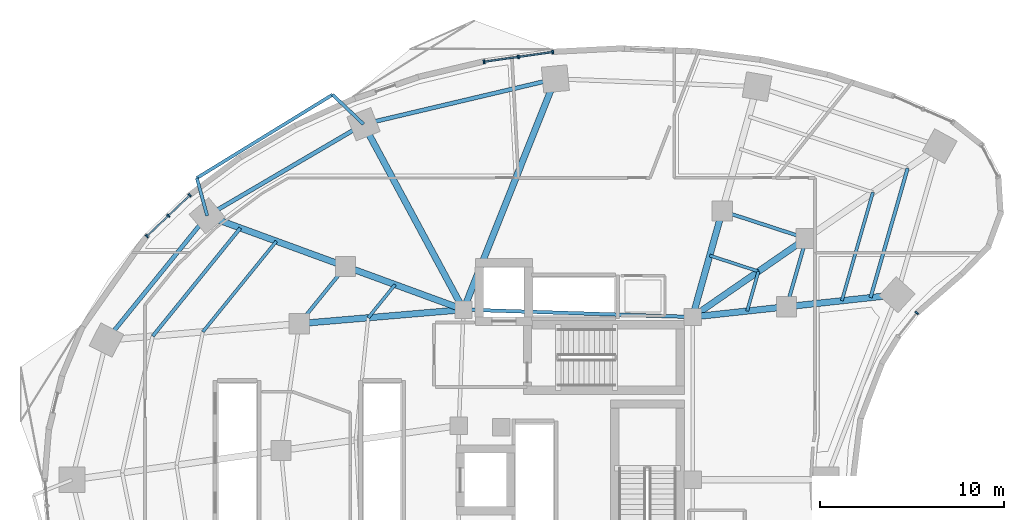
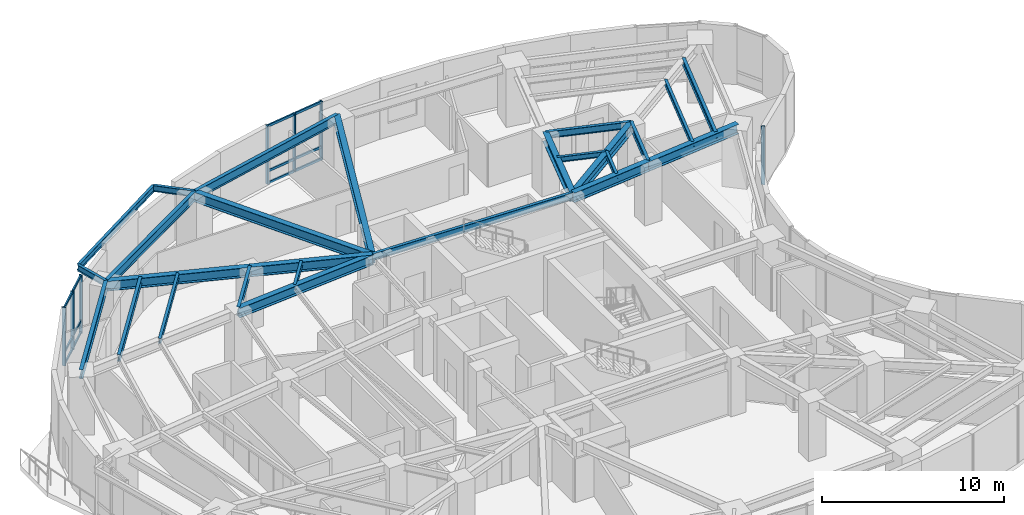
# One storey, part 5 of 14: 26 beams, 19 members, 3 elements without a shape of their own.
"""IFC4 building model written with IfcOpenShell, lengths in metres."""

import ifcopenshell
import ifcopenshell.guid

model = None  # the IFC model being written
_history = None  # IfcOwnerHistory: only IFC2X3 demands one
_inside = {}  # id of a spatial element -> (the spatial element, [elements in it])
_under = {}  # id of a project, library or spatial element -> (it, [spatial elements below it])
_declared = {}  # id of a project -> (the project, [libraries it declares])
_typed = {}  # id of a type object -> (the type object, [elements of that type])
_made_of = {}  # id of a material, layer set ... -> (it, [elements and type objects made of it])


def new_model(schema):
    """Start an empty IFC model of exactly this schema.

    Asked for "IFC4X3", IfcOpenShell would pick the latest addendum, in which some entities
    have other attributes; the version numbers below select the first issue.
    IFC2X3 requires an IfcOwnerHistory on every rooted entity: one is made here for all.
    """
    global model, _history
    if schema == "IFC4X3":
        model = ifcopenshell.file(schema_version=(4, 3, 0, 0))
    else:
        model = ifcopenshell.file(schema=schema)
    _inside.clear()
    _under.clear()
    _declared.clear()
    _typed.clear()
    _made_of.clear()
    _history = None
    if model.schema == "IFC2X3":
        org = make("IfcOrganization", Name="unknown")
        user = make(
            "IfcPersonAndOrganization",
            ThePerson=make("IfcPerson", FamilyName="unknown"),
            TheOrganization=org,
        )
        app = make(
            "IfcApplication",
            ApplicationDeveloper=org,
            Version="unknown",
            ApplicationFullName="unknown",
            ApplicationIdentifier="unknown",
        )
        _history = make(
            "IfcOwnerHistory",
            OwningUser=user,
            OwningApplication=app,
            ChangeAction="ADDED",
            CreationDate=0,
        )
    return model


def make(cls, **values):
    """One entity of the class cls with the attributes given. An attribute that is None is left unset."""
    return model.create_entity(
        cls, **{name: value for name, value in values.items() if value is not None}
    )


def rooted(cls, **values):
    """An entity with a GlobalId (a new one), such as an element, a storey or a relation."""
    return make(cls, GlobalId=ifcopenshell.guid.new(), OwnerHistory=_history, **values)


def si_unit(unit_type, name, prefix=None):
    """IfcSIUnit, for example si_unit("LENGTHUNIT", "METRE", prefix="MILLI")."""
    return make("IfcSIUnit", UnitType=unit_type, Prefix=prefix, Name=name)


def assignment(units):
    """IfcUnitAssignment: the units of a project."""
    return None if units is None else make("IfcUnitAssignment", Units=units)


def point(xyz):
    """IfcCartesianPoint."""
    return None if xyz is None else make("IfcCartesianPoint", Coordinates=xyz)


def direction(xyz):
    """IfcDirection."""
    return None if xyz is None else make("IfcDirection", DirectionRatios=xyz)


def frame(location, z_axis=None, x_axis=None):
    """IfcAxis2Placement3D, a coordinate frame: its origin and axes. An axis left out is left unset."""
    return make(
        "IfcAxis2Placement3D",
        Location=point(location),
        Axis=direction(z_axis),
        RefDirection=direction(x_axis),
    )


def frame_2d(location, x_axis=None):
    """IfcAxis2Placement2D, a coordinate frame in the plane: its origin and x axis."""
    return make(
        "IfcAxis2Placement2D", Location=point(location), RefDirection=direction(x_axis)
    )


def origin():
    """The frame at (0, 0, 0) with its axes left unset."""
    return frame((0.0, 0.0, 0.0))


def origin_2d():
    """The frame at (0, 0) in the plane with its x axis left unset."""
    return frame_2d((0.0, 0.0))


def place(relative_to, where):
    """IfcLocalPlacement: puts the frame where relative to a parent placement (None: the world)."""
    return make(
        "IfcLocalPlacement", PlacementRelTo=relative_to, RelativePlacement=where
    )


def context(
    kind, dimensions, precision=None, world=None, true_north=None, identifier=None
):
    """IfcGeometricRepresentationContext, for example the 3D "Model" context."""
    return make(
        "IfcGeometricRepresentationContext",
        ContextIdentifier=identifier,
        ContextType=kind,
        CoordinateSpaceDimension=dimensions,
        Precision=precision,
        WorldCoordinateSystem=world,
        TrueNorth=true_north,
    )


def subcontext(parent, identifier, kind, view, scale=None):
    """IfcGeometricRepresentationSubContext, for example "Body" below "Model"."""
    return make(
        "IfcGeometricRepresentationSubContext",
        ContextIdentifier=identifier,
        ContextType=kind,
        ParentContext=parent,
        TargetScale=scale,
        TargetView=view,
    )


def project(units=None, contexts=None):
    """IfcProject with its units and contexts."""
    return rooted(
        "IfcProject",
        Name="project",
        RepresentationContexts=contexts,
        UnitsInContext=assignment(units),
    )


def spatial(cls, under=None, at=None, **own):
    """A site, building, storey or space (cls), placed at a placement, below another one or the project."""
    s = rooted(cls, ObjectPlacement=at, **own)
    if under is not None:
        _under.setdefault(under.id(), (under, []))[1].append(s)
    return s


def profile(cls, at=None, kind="AREA", **sizes):
    """A parametric profile (cls). Its sizes go by their IFC names, for example OverallWidth=200.0."""
    return make(cls, ProfileType=kind, Position=at, **sizes)


def rectangle(**sizes):
    """IfcRectangleProfileDef."""
    return profile("IfcRectangleProfileDef", **sizes)


def i_section(**sizes):
    """IfcIShapeProfileDef."""
    return profile("IfcIShapeProfileDef", **sizes)


def extrude(swept, where, along, depth):
    """IfcExtrudedAreaSolid: the profile swept, set in the frame where, extruded along a direction by depth."""
    return make(
        "IfcExtrudedAreaSolid",
        SweptArea=swept,
        Position=where,
        ExtrudedDirection=direction(along),
        Depth=depth,
    )


def shape(context_of_items, identifier, shape_type, items):
    """IfcShapeRepresentation: the items that make up one representation, for example the "Body"."""
    return make(
        "IfcShapeRepresentation",
        ContextOfItems=context_of_items,
        RepresentationIdentifier=identifier,
        RepresentationType=shape_type,
        Items=items,
    )


def material(Name=None, Category=None):
    """IfcMaterial."""
    return make("IfcMaterial", Name=Name, Category=Category)


def layer(
    of_material, thickness, ventilated=None, Name=None, Category=None, Priority=None
):
    """IfcMaterialLayer: one layer of a wall or slab, of a material (None: an air gap)."""
    return make(
        "IfcMaterialLayer",
        Material=of_material,
        LayerThickness=thickness,
        IsVentilated=ventilated,
        Name=Name,
        Category=Category,
        Priority=Priority,
    )


def layer_set(layers, Name=None):
    """IfcMaterialLayerSet."""
    return make("IfcMaterialLayerSet", MaterialLayers=layers, LayerSetName=Name)


def material_profile(
    of_material, cross_section, Name=None, Category=None, Priority=None
):
    """IfcMaterialProfile: a cross section and its material."""
    return make(
        "IfcMaterialProfile",
        Name=Name,
        Material=of_material,
        Profile=cross_section,
        Priority=Priority,
        Category=Category,
    )


def profile_set(profiles, Name=None, composite=None):
    """IfcMaterialProfileSet."""
    return make(
        "IfcMaterialProfileSet",
        Name=Name,
        MaterialProfiles=profiles,
        CompositeProfile=composite,
    )


def made_of(thing, what):
    """Note that an element or type object is made of a material, layer set ...; save() writes the relation."""
    if what is not None:
        _made_of.setdefault(what.id(), (what, []))[1].append(thing)
    return thing


def type_object(cls, material=None, **own):
    """A type object (cls), such as IfcWallType, which elements share."""
    return made_of(rooted(cls, **own), material)


def element(
    cls,
    number,
    at=None,
    inside=None,
    cuts=None,
    type_object=None,
    material=None,
    context=None,
    identifier="Body",
    shape_type=None,
    held_by="IfcProductDefinitionShape",
    body=None,
    shapes=None,
    **own,
):
    """One element of the class cls, such as IfcWall. Its Tag is "e" and its number.

    at: its placement. inside: the storey or other place that contains it. cuts: it is an
    opening in that element (IfcRelVoidsElement). A single representation is given by context,
    identifier, shape_type and body (its items); several are given by shapes. held_by: the class
    of the entity that holds the representations. save() writes the other relations.
    """
    e = rooted(cls, Tag="e%d" % number, ObjectPlacement=at, **own)
    if body is not None:
        shapes = [shape(context, identifier, shape_type, body)]
    if shapes is not None:
        e.Representation = make(held_by, Representations=shapes)
    if inside is not None:
        _inside.setdefault(inside.id(), (inside, []))[1].append(e)
    if cuts is not None:
        rooted(
            "IfcRelVoidsElement", RelatingBuildingElement=cuts, RelatedOpeningElement=e
        )
    if type_object is not None:
        _typed.setdefault(type_object.id(), (type_object, []))[1].append(e)
    return made_of(e, material)


def aggregate(whole, parts):
    """IfcRelAggregates: a whole, such as a stair, and the parts it consists of."""
    return rooted("IfcRelAggregates", RelatingObject=whole, RelatedObjects=parts)


def save(model, path):
    """Write the relations noted so far, then the file.

    IfcRelAggregates (storeys below a building ...), IfcRelContainedInSpatialStructure (elements
    in a storey), IfcRelDefinesByType, IfcRelAssociatesMaterial and IfcRelDeclares: one each for
    every whole, place, type object, material and project.
    """
    for whole, parts in _under.values():
        aggregate(whole, parts)
    for where, things in _inside.values():
        rooted(
            "IfcRelContainedInSpatialStructure",
            RelatedElements=things,
            RelatingStructure=where,
        )
    for kind, things in _typed.values():
        rooted("IfcRelDefinesByType", RelatedObjects=things, RelatingType=kind)
    for what, things in _made_of.values():
        rooted("IfcRelAssociatesMaterial", RelatedObjects=things, RelatingMaterial=what)
    for by, libraries in _declared.values():
        rooted("IfcRelDeclares", RelatingContext=by, RelatedDefinitions=libraries)
    model.write(path)


model = new_model("IFC4")

# Units and contexts
model_context = context("Model", 3, precision=1e-05, world=origin(), true_north=direction((0.0, 1.0)))
body_context = subcontext(model_context, "Body", "Model", "MODEL_VIEW")
ifc_project = project(units=[si_unit("LENGTHUNIT", "METRE"), si_unit("AREAUNIT", "SQUARE_METRE"), si_unit("VOLUMEUNIT", "CUBIC_METRE"), si_unit("PLANEANGLEUNIT", "RADIAN"), si_unit("MASSUNIT", "GRAM", prefix="KILO")], contexts=[model_context])

# Site, building, storey
site_placement = place(None, origin())
site = spatial("IfcSite", under=ifc_project, at=site_placement, CompositionType="ELEMENT")
building_placement = place(site_placement, origin())
building = spatial("IfcBuilding", under=site, at=building_placement, Name="Korentha Bioscience Tower", CompositionType="ELEMENT")
storey_placement = place(building_placement, frame((0.0, 0.0, 51.0)))
storey = spatial("IfcBuildingStorey", under=building, at=storey_placement, Name="L11", CompositionType="ELEMENT", Elevation=51.0)

# Beams
ifc_material_1 = material(Name="Steel S355", Category="steel")
ifc_material_profile_1 = material_profile(ifc_material_1, i_section(OverallWidth=0.18994140625, OverallDepth=0.45703125, WebThickness=0.009033203125, FlangeThickness=0.014404296875, at=origin_2d()), Name="Steel S355")
ifc_profile_set_1 = profile_set([ifc_material_profile_1], Name="Steel S355 (MB-460)")
beam_type_1 = type_object("IfcBeamType", Name="Mid-Ring Tie Girder W460x74", PredefinedType="BEAM", material=ifc_profile_set_1)
beam_1_placement = place(storey_placement, frame((43.7265625, 40.121337890625, 3.67138671875), z_axis=(-0.950877001105, 0.309568940253, 0.0), x_axis=(-0.309568940253, -0.950877001105, 0.0)))
element("IfcBeam", 1, at=beam_1_placement, inside=storey, type_object=beam_type_1, Name="L11 Mid-Ring Tie Girder 01", PredefinedType="BEAM", context=body_context, shape_type="SweptSolid", body=[
    extrude(i_section(OverallWidth=0.18994140625, OverallDepth=0.45703125, WebThickness=0.009033203125, FlangeThickness=0.014404296875, at=origin_2d()), origin(), (0.0, 0.0, 1.0), 4.80126953125),
])
beam_2_placement = place(storey_placement, frame((18.692138671875, 38.5947265625, 3.67138671875), z_axis=(-0.629790009744, -0.776765436684, 0.0), x_axis=(0.776765436684, -0.629790009744, 0.0)))
element("IfcBeam", 2, at=beam_2_placement, inside=storey, type_object=beam_type_1, Name="L11 Mid-Ring Tie Girder 05", PredefinedType="BEAM", context=body_context, shape_type="SweptSolid", body=[
    extrude(i_section(OverallWidth=0.18994140625, OverallDepth=0.45703125, WebThickness=0.009033203125, FlangeThickness=0.014404296875, at=origin_2d()), origin(), (0.0, 0.0, 1.0), 3.998291015625),
])
beam_3_placement = place(storey_placement, frame((42.66162109375, 36.406982421875, 3.67138671875), z_axis=(0.27560557792, 0.961270807535, 0.0), x_axis=(-0.961270807535, 0.27560557792, 0.0)))
element("IfcBeam", 3, at=beam_3_placement, inside=storey, type_object=beam_type_1, Name="L11 Mid-Ring Tie Girder 16", PredefinedType="BEAM", context=body_context, shape_type="SweptSolid", body=[
    extrude(i_section(OverallWidth=0.18994140625, OverallDepth=0.45703125, WebThickness=0.009033203125, FlangeThickness=0.014404296875, at=origin_2d()), origin(), (0.0, 0.0, 1.0), 3.864013671875),
])
beam_4_placement = place(storey_placement, frame((37.550048828125, 35.85009765625, 3.67138671875), z_axis=(-0.999484526071, 0.032104238723, 0.0), x_axis=(-0.032104238723, -0.999484526071, 0.0)))
element("IfcBeam", 4, at=beam_4_placement, inside=storey, type_object=beam_type_1, Name="L11 Core Ring Tie Girder 01", PredefinedType="BEAM", context=body_context, shape_type="SweptSolid", body=[
    extrude(i_section(OverallWidth=0.18994140625, OverallDepth=0.45703125, WebThickness=0.009033203125, FlangeThickness=0.014404296875, at=origin_2d()), origin(), (0.0, 0.0, 1.0), 12.456298828125),
])

# Curtain wall, members
ifc_material_2 = material(Name="Thermally Broken Aluminium Frame", Category="aluminium")
ifc_layer = layer(ifc_material_2, 0.219970703125, Name="Thermally Broken Aluminium Frame")
ifc_layer_set = layer_set([ifc_layer], Name="Thermally Broken Aluminium Frame (CW-T1)")
curtain_wall_type = type_object("IfcCurtainWallType", Name="Standard Bioscience Lab Unitised Curtain Wall CW-T1", PredefinedType="USERDEFINED", material=ifc_layer_set)
curtain_wall_1_placement = place(storey_placement, origin())
curtain_wall_1 = element("IfcCurtainWall", 5, at=curtain_wall_1_placement, inside=storey, type_object=curtain_wall_type, Name="L11 Curtain Wall 07", ObjectType="UNITISED", PredefinedType="USERDEFINED")
ifc_material_3 = material(Name="Anodised Aluminium 6063-T6", Category="aluminium")
ifc_material_profile_2 = material_profile(ifc_material_3, rectangle(XDim=0.090087890625, YDim=0.199951171875, at=origin_2d()), Name="Anodised Aluminium 6063-T6")
ifc_profile_set_2 = profile_set([ifc_material_profile_2], Name="Anodised Aluminium 6063-T6 (CW-MUL)")
member_type_1 = type_object("IfcMemberType", Name="Mullion RECT 90x200", PredefinedType="MULLION", material=ifc_profile_set_2)
member_1_placement = place(storey_placement, frame((29.95849609375, 50.247802734375, 0.0), z_axis=(0.0, 0.0, 1.0), x_axis=(-0.990167372968, -0.139887717511, 0.0)))
member_1 = element("IfcMember", 6, at=member_1_placement, type_object=member_type_1, Name="CW-L11-07 Mullion 1", PredefinedType="MULLION", context=body_context, shape_type="SweptSolid", body=[
    extrude(rectangle(XDim=0.090087890625, YDim=0.199951171875, at=origin_2d()), origin(), (0.0, 0.0, 1.0), 3.89990234375),
])
member_2_placement = place(storey_placement, frame((28.086669921875, 49.9833984375, 0.0), z_axis=(0.0, 0.0, 1.0), x_axis=(-0.990167372968, -0.139887717511, 0.0)))
member_2 = element("IfcMember", 7, at=member_2_placement, type_object=member_type_1, Name="CW-L11-07 Mullion 2", PredefinedType="MULLION", context=body_context, shape_type="SweptSolid", body=[
    extrude(rectangle(XDim=0.090087890625, YDim=0.199951171875, at=origin_2d()), origin(), (0.0, 0.0, 1.0), 3.89990234375),
])
member_3_placement = place(storey_placement, frame((26.214599609375, 49.718994140625, 0.0), z_axis=(0.0, 0.0, 1.0), x_axis=(-0.990167372968, -0.139887717511, 0.0)))
member_3 = element("IfcMember", 8, at=member_3_placement, type_object=member_type_1, Name="CW-L11-07 Mullion 3", PredefinedType="MULLION", context=body_context, shape_type="SweptSolid", body=[
    extrude(rectangle(XDim=0.090087890625, YDim=0.199951171875, at=origin_2d()), origin(), (0.0, 0.0, 1.0), 3.89990234375),
])

curtain_wall_2_placement = place(storey_placement, origin())
curtain_wall_2 = element("IfcCurtainWall", 9, at=curtain_wall_2_placement, inside=storey, type_object=curtain_wall_type, Name="L11 Curtain Wall 13", ObjectType="UNITISED", PredefinedType="USERDEFINED")
member_4_placement = place(storey_placement, frame((10.228759765625, 42.467041015625, 0.0), z_axis=(0.0, 0.0, 1.0), x_axis=(-0.723641761581, -0.690175775361, 0.0)))
member_4 = element("IfcMember", 10, at=member_4_placement, type_object=member_type_1, Name="CW-L11-13 Mullion 1", PredefinedType="MULLION", context=body_context, shape_type="SweptSolid", body=[
    extrude(rectangle(XDim=0.090087890625, YDim=0.199951171875, at=origin_2d()), origin(), (0.0, 0.0, 1.0), 3.89990234375),
])
member_5_placement = place(storey_placement, frame((9.05908203125, 41.3515625, 0.0), z_axis=(0.0, 0.0, 1.0), x_axis=(-0.723641761581, -0.690175775361, 0.0)))
member_5 = element("IfcMember", 11, at=member_5_placement, type_object=member_type_1, Name="CW-L11-13 Mullion 2", PredefinedType="MULLION", context=body_context, shape_type="SweptSolid", body=[
    extrude(rectangle(XDim=0.090087890625, YDim=0.199951171875, at=origin_2d()), origin(), (0.0, 0.0, 1.0), 3.89990234375),
])
member_6_placement = place(storey_placement, frame((7.889404296875, 40.236083984375, 0.0), z_axis=(0.0, 0.0, 1.0), x_axis=(-0.723641761581, -0.690175775361, 0.0)))
member_6 = element("IfcMember", 12, at=member_6_placement, type_object=member_type_1, Name="CW-L11-13 Mullion 3", PredefinedType="MULLION", context=body_context, shape_type="SweptSolid", body=[
    extrude(rectangle(XDim=0.090087890625, YDim=0.199951171875, at=origin_2d()), origin(), (0.0, 0.0, 1.0), 3.89990234375),
])

# Curtain wall, member
curtain_wall_3_placement = place(storey_placement, origin())
curtain_wall_3 = element("IfcCurtainWall", 13, at=curtain_wall_3_placement, inside=storey, type_object=curtain_wall_type, Name="L11 Curtain Wall 55", ObjectType="UNITISED", PredefinedType="USERDEFINED")
member_7_placement = place(storey_placement, frame((49.73291015625, 36.072021484375, 0.0), z_axis=(0.0, 0.0, 1.0), x_axis=(0.622520324648, 0.782603632371, 0.0)))
member_7 = element("IfcMember", 14, at=member_7_placement, type_object=member_type_1, Name="CW-L11-55 Mullion 2", PredefinedType="MULLION", context=body_context, shape_type="SweptSolid", body=[
    extrude(rectangle(XDim=0.090087890625, YDim=0.199951171875, at=origin_2d()), origin(), (0.0, 0.0, 1.0), 3.89990234375),
])
aggregate(curtain_wall_3, [member_7])

# Beams
ifc_material_profile_3 = material_profile(ifc_material_1, i_section(OverallWidth=0.22802734375, OverallDepth=0.60791015625, WebThickness=0.01123046875, FlangeThickness=0.017333984375, at=origin_2d()), Name="Steel S355")
ifc_profile_set_3 = profile_set([ifc_material_profile_3], Name="Steel S355 (SB-610)")
beam_type_2 = type_object("IfcBeamType", Name="Perimeter Ring Spandrel Girder W610x113", PredefinedType="SPANDREL", material=ifc_profile_set_3)
beam_5_placement = place(storey_placement, frame((30.09423828125, 48.79248046875, 3.595947265625), z_axis=(-0.973207885376, -0.229926970672, 0.0), x_axis=(0.229926970672, -0.973207885376, 0.0)))
element("IfcBeam", 15, at=beam_5_placement, inside=storey, type_object=beam_type_2, Name="L11 Perimeter Spandrel Girder 03", PredefinedType="SPANDREL", context=body_context, shape_type="SweptSolid", body=[
    extrude(i_section(OverallWidth=0.22802734375, OverallDepth=0.60791015625, WebThickness=0.01123046875, FlangeThickness=0.017333984375, at=origin_2d()), origin(), (0.0, 0.0, 1.0), 10.71484375),
])
beam_6_placement = place(storey_placement, frame((19.66650390625, 46.328857421875, 3.595947265625), z_axis=(-0.862656574181, -0.505790109653, 0.0), x_axis=(0.505790109653, -0.862656574181, 0.0)))
element("IfcBeam", 16, at=beam_6_placement, inside=storey, type_object=beam_type_2, Name="L11 Perimeter Spandrel Girder 04", PredefinedType="SPANDREL", context=body_context, shape_type="SweptSolid", body=[
    extrude(i_section(OverallWidth=0.22802734375, OverallDepth=0.60791015625, WebThickness=0.01123046875, FlangeThickness=0.017333984375, at=origin_2d()), origin(), (0.0, 0.0, 1.0), 9.849365234375),
])
beam_7_placement = place(storey_placement, frame((11.169921875, 41.34716796875, 3.595947265625), z_axis=(-0.629799210231, -0.776757976974, 0.0), x_axis=(0.776757976974, -0.629799210231, 0.0)))
element("IfcBeam", 17, at=beam_7_placement, inside=storey, type_object=beam_type_2, Name="L11 Perimeter Spandrel Girder 05", PredefinedType="SPANDREL", context=body_context, shape_type="SweptSolid", body=[
    extrude(i_section(OverallWidth=0.22802734375, OverallDepth=0.60791015625, WebThickness=0.01123046875, FlangeThickness=0.017333984375, at=origin_2d()), origin(), (0.0, 0.0, 1.0), 8.69189453125),
])
ifc_material_profile_4 = material_profile(ifc_material_1, i_section(OverallWidth=0.18994140625, OverallDepth=0.45703125, WebThickness=0.009033203125, FlangeThickness=0.014404296875, at=origin_2d()), Name="Steel S355")
ifc_profile_set_4 = profile_set([ifc_material_profile_4], Name="Steel S355 (RB-460)")
beam_type_3 = type_object("IfcBeamType", Name="Radial Laboratory Beam W460x74", PredefinedType="BEAM", material=ifc_profile_set_4)
beam_8_placement = place(storey_placement, frame((12.97509765625, 40.6865234375, 3.67138671875), z_axis=(-0.629797748553, -0.776759162107, 0.0), x_axis=(0.776759162107, -0.629797748553, 0.0)))
element("IfcBeam", 18, at=beam_8_placement, inside=storey, type_object=beam_type_3, Name="L11 Secondary Floor Beam JSTO-05", PredefinedType="BEAM", context=body_context, shape_type="SweptSolid", body=[
    extrude(i_section(OverallWidth=0.18994140625, OverallDepth=0.45703125, WebThickness=0.009033203125, FlangeThickness=0.014404296875, at=origin_2d()), origin(), (0.0, 0.0, 1.0), 7.5654296875),
])
beam_9_placement = place(storey_placement, frame((47.2216796875, 36.90380859375, 3.67138671875), z_axis=(0.275682421415, 0.961248772443, 0.0), x_axis=(-0.961248772443, 0.275682421415, 0.0)))
element("IfcBeam", 19, at=beam_9_placement, inside=storey, type_object=beam_type_3, Name="L11 Secondary Floor Beam JSTO-16", PredefinedType="BEAM", context=body_context, shape_type="SweptSolid", body=[
    extrude(i_section(OverallWidth=0.18994140625, OverallDepth=0.45703125, WebThickness=0.009033203125, FlangeThickness=0.014404296875, at=origin_2d()), origin(), (0.0, 0.0, 1.0), 7.3115234375),
])
ifc_material_profile_5 = material_profile(ifc_material_1, i_section(OverallWidth=0.35009765625, OverallDepth=0.64990234375, WebThickness=0.01611328125, FlangeThickness=0.02490234375, at=origin_2d()), Name="Steel S355")
ifc_profile_set_5 = profile_set([ifc_material_profile_5], Name="Steel S355 (RB-650)")
beam_type_4 = type_object("IfcBeamType", Name="Radial Laboratory Girder CVS 650x208", PredefinedType="BEAM", material=ifc_profile_set_5)
beam_10_placement = place(storey_placement, frame((37.550048828125, 35.85009765625, 3.574951171875), z_axis=(0.822491697625, 0.568777115694, 0.0), x_axis=(-0.568777115694, 0.822491697625, 0.0)))
element("IfcBeam", 20, at=beam_10_placement, inside=storey, type_object=beam_type_4, Name="L11 Inner Radial Girder 01", PredefinedType="BEAM", context=body_context, shape_type="SweptSolid", body=[
    extrude(i_section(OverallWidth=0.35009765625, OverallDepth=0.64990234375, WebThickness=0.01611328125, FlangeThickness=0.02490234375, at=origin_2d()), origin(), (0.0, 0.0, 1.0), 7.509521484375),
])
beam_11_placement = place(storey_placement, frame((37.550048828125, 35.85009765625, 3.574951171875), z_axis=(0.269469369205, 0.963008961049, 0.0), x_axis=(-0.963008961049, 0.269469369205, 0.0)))
element("IfcBeam", 21, at=beam_11_placement, inside=storey, type_object=beam_type_4, Name="L11 Inner Radial Girder 02", PredefinedType="BEAM", context=body_context, shape_type="SweptSolid", body=[
    extrude(i_section(OverallWidth=0.35009765625, OverallDepth=0.64990234375, WebThickness=0.01611328125, FlangeThickness=0.02490234375, at=origin_2d()), origin(), (0.0, 0.0, 1.0), 5.978759765625),
])
beam_12_placement = place(storey_placement, frame((25.10009765625, 36.25, 3.574951171875), z_axis=(0.369931007413, 0.929059228335, 0.0), x_axis=(-0.929059228335, 0.369931007413, 0.0)))
element("IfcBeam", 22, at=beam_12_placement, inside=storey, type_object=beam_type_4, Name="L11 Radial Girder 03", PredefinedType="BEAM", context=body_context, shape_type="SweptSolid", body=[
    extrude(i_section(OverallWidth=0.35009765625, OverallDepth=0.64990234375, WebThickness=0.01611328125, FlangeThickness=0.02490234375, at=origin_2d()), origin(), (0.0, 0.0, 1.0), 13.500244140625),
])
beam_13_placement = place(storey_placement, frame((25.10009765625, 36.25, 3.574951171875), z_axis=(-0.47454097106, 0.880233416081, 0.0), x_axis=(-0.880233416081, -0.47454097106, 0.0)))
element("IfcBeam", 23, at=beam_13_placement, inside=storey, type_object=beam_type_4, Name="L11 Radial Girder 04", PredefinedType="BEAM", context=body_context, shape_type="SweptSolid", body=[
    extrude(i_section(OverallWidth=0.35009765625, OverallDepth=0.64990234375, WebThickness=0.01611328125, FlangeThickness=0.02490234375, at=origin_2d()), origin(), (0.0, 0.0, 1.0), 11.4501953125),
])
beam_14_placement = place(storey_placement, frame((25.10009765625, 36.25, 3.574951171875), z_axis=(-0.939106237741, 0.343626940498, 0.0), x_axis=(-0.343626940498, -0.939106237741, 0.0)))
element("IfcBeam", 24, at=beam_14_placement, inside=storey, type_object=beam_type_4, Name="L11 Inner Radial Girder 05", PredefinedType="BEAM", context=body_context, shape_type="SweptSolid", body=[
    extrude(i_section(OverallWidth=0.35009765625, OverallDepth=0.64990234375, WebThickness=0.01611328125, FlangeThickness=0.02490234375, at=origin_2d()), origin(), (0.0, 0.0, 1.0), 6.823486328125),
])
beam_15_placement = place(storey_placement, frame((18.692138671875, 38.5947265625, 3.574951171875), z_axis=(-0.939106299948, 0.343626770491, 0.0), x_axis=(-0.343626770491, -0.939106299948, 0.0)))
element("IfcBeam", 25, at=beam_15_placement, inside=storey, type_object=beam_type_4, Name="L11 Outer Radial Girder 05", PredefinedType="BEAM", context=body_context, shape_type="SweptSolid", body=[
    extrude(i_section(OverallWidth=0.35009765625, OverallDepth=0.64990234375, WebThickness=0.01611328125, FlangeThickness=0.02490234375, at=origin_2d()), origin(), (0.0, 0.0, 1.0), 8.010009765625),
])
beam_16_placement = place(storey_placement, frame((25.10009765625, 36.25, 3.574951171875), z_axis=(-0.996385503026, -0.08494662654, 0.0), x_axis=(0.08494662654, -0.996385503026, 0.0)))
element("IfcBeam", 26, at=beam_16_placement, inside=storey, type_object=beam_type_4, Name="L11 Inner Radial Girder 06", PredefinedType="BEAM", context=body_context, shape_type="SweptSolid", body=[
    extrude(i_section(OverallWidth=0.35009765625, OverallDepth=0.64990234375, WebThickness=0.01611328125, FlangeThickness=0.02490234375, at=origin_2d()), origin(), (0.0, 0.0, 1.0), 8.95849609375),
])
beam_17_placement = place(storey_placement, frame((37.550048828125, 35.85009765625, 3.574951171875), z_axis=(0.994117709144, 0.10830503389, 0.0), x_axis=(-0.10830503389, 0.994117709144, 0.0)))
element("IfcBeam", 27, at=beam_17_placement, inside=storey, type_object=beam_type_4, Name="L11 Inner Radial Girder 16", PredefinedType="BEAM", context=body_context, shape_type="SweptSolid", body=[
    extrude(i_section(OverallWidth=0.35009765625, OverallDepth=0.64990234375, WebThickness=0.01611328125, FlangeThickness=0.02490234375, at=origin_2d()), origin(), (0.0, 0.0, 1.0), 5.141845703125),
])
beam_18_placement = place(storey_placement, frame((42.66162109375, 36.406982421875, 3.574951171875), z_axis=(0.994115805925, 0.108322501862, 0.0), x_axis=(-0.108322501862, 0.994115805925, 0.0)))
element("IfcBeam", 28, at=beam_18_placement, inside=storey, type_object=beam_type_4, Name="L11 Outer Radial Girder 16", PredefinedType="BEAM", context=body_context, shape_type="SweptSolid", body=[
    extrude(i_section(OverallWidth=0.35009765625, OverallDepth=0.64990234375, WebThickness=0.01611328125, FlangeThickness=0.02490234375, at=origin_2d()), origin(), (0.0, 0.0, 1.0), 6.03564453125),
])
ifc_material_profile_6 = material_profile(ifc_material_1, i_section(OverallWidth=0.1708984375, OverallDepth=0.35498046875, WebThickness=0.007080078125, FlangeThickness=0.01171875, at=origin_2d()), Name="Steel S355")
ifc_profile_set_6 = profile_set([ifc_material_profile_6], Name="Steel S355 (JB-360)")
beam_type_5 = type_object("IfcBeamType", Name="Secondary Laboratory Joist W360x51", PredefinedType="JOIST", material=ifc_profile_set_6)
beam_19_placement = place(storey_placement, frame((41.13232421875, 38.327392578125, 3.722412109375), z_axis=(-0.950869630746, 0.309591578254, 0.0), x_axis=(-0.309591578254, -0.950869630746, 0.0)))
element("IfcBeam", 29, at=beam_19_placement, inside=storey, type_object=beam_type_5, Name="L11 Inner Bay Joist 01", PredefinedType="JOIST", context=body_context, shape_type="SweptSolid", body=[
    extrude(i_section(OverallWidth=0.1708984375, OverallDepth=0.35498046875, WebThickness=0.007080078125, FlangeThickness=0.01171875, at=origin_2d()), origin(), (0.0, 0.0, 1.0), 2.784423828125),
])
beam_20_placement = place(storey_placement, frame((14.930908203125, 39.970947265625, 3.722412109375), z_axis=(-0.629786899984, -0.776767958021, 0.0), x_axis=(0.776767958021, -0.629786899984, 0.0)))
element("IfcBeam", 30, at=beam_20_placement, inside=storey, type_object=beam_type_5, Name="L11 Secondary Floor Beam JST-05", PredefinedType="JOIST", context=body_context, shape_type="SweptSolid", body=[
    extrude(i_section(OverallWidth=0.1708984375, OverallDepth=0.35498046875, WebThickness=0.007080078125, FlangeThickness=0.01171875, at=origin_2d()), origin(), (0.0, 0.0, 1.0), 6.34521484375),
])
beam_21_placement = place(storey_placement, frame((21.38330078125, 37.60986328125, 3.722412109375), z_axis=(-0.629791657613, -0.776764100613, 0.0), x_axis=(0.776764100613, -0.629791657613, 0.0)))
element("IfcBeam", 31, at=beam_21_placement, inside=storey, type_object=beam_type_5, Name="L11 Inner Bay Joist 05", PredefinedType="JOIST", context=body_context, shape_type="SweptSolid", body=[
    extrude(i_section(OverallWidth=0.1708984375, OverallDepth=0.35498046875, WebThickness=0.007080078125, FlangeThickness=0.01171875, at=origin_2d()), origin(), (0.0, 0.0, 1.0), 2.31884765625),
])
beam_22_placement = place(storey_placement, frame((45.66162109375, 36.73388671875, 3.722412109375), z_axis=(0.275667500387, 0.96125305161, 0.0), x_axis=(-0.96125305161, 0.275667500387, 0.0)))
element("IfcBeam", 32, at=beam_22_placement, inside=storey, type_object=beam_type_5, Name="L11 Secondary Floor Beam JST-16", PredefinedType="JOIST", context=body_context, shape_type="SweptSolid", body=[
    extrude(i_section(OverallWidth=0.1708984375, OverallDepth=0.35498046875, WebThickness=0.007080078125, FlangeThickness=0.01171875, at=origin_2d()), origin(), (0.0, 0.0, 1.0), 6.132080078125),
])
beam_23_placement = place(storey_placement, frame((40.5146484375, 36.173095703125, 3.722412109375), z_axis=(0.275613067773, 0.961268660091, 0.0), x_axis=(-0.961268660091, 0.275613067773, 0.0)))
element("IfcBeam", 33, at=beam_23_placement, inside=storey, type_object=beam_type_5, Name="L11 Inner Bay Joist 16", PredefinedType="JOIST", context=body_context, shape_type="SweptSolid", body=[
    extrude(i_section(OverallWidth=0.1708984375, OverallDepth=0.35498046875, WebThickness=0.007080078125, FlangeThickness=0.01171875, at=origin_2d()), origin(), (0.0, 0.0, 1.0), 2.2412109375),
])
ifc_material_profile_7 = material_profile(ifc_material_1, i_section(OverallWidth=0.177978515625, OverallDepth=0.406982421875, WebThickness=0.0078125, FlangeThickness=0.0126953125, at=origin_2d()), Name="Steel S355")
ifc_profile_set_7 = profile_set([ifc_material_profile_7], Name="Steel S355 (CB-410)")
beam_type_6 = type_object("IfcBeamType", Name="Sun-Ledge Cantilever Beam W410x60", PredefinedType="BEAM", material=ifc_profile_set_7)
beam_24_placement = place(storey_placement, frame((19.66650390625, 46.328857421875, 3.698486328125), z_axis=(-0.72412793639, 0.689665666638, 0.0), x_axis=(-0.689665666638, -0.72412793639, 0.0)))
element("IfcBeam", 34, at=beam_24_placement, inside=storey, type_object=beam_type_6, Name="L11 Balcony Cantilever Bracket A-L12-01", PredefinedType="BEAM", context=body_context, shape_type="SweptSolid", body=[
    extrude(i_section(OverallWidth=0.177978515625, OverallDepth=0.406982421875, WebThickness=0.0078125, FlangeThickness=0.0126953125, at=origin_2d()), origin(), (0.0, 0.0, 1.0), 2.32373046875),
])
beam_25_placement = place(storey_placement, frame((11.169921875, 41.34716796875, 3.698486328125), z_axis=(-0.262283122947, 0.964990965459, 0.0), x_axis=(-0.964990965459, -0.262283122947, 0.0)))
element("IfcBeam", 35, at=beam_25_placement, inside=storey, type_object=beam_type_6, Name="L11 Balcony Cantilever Bracket B-L12-01", PredefinedType="BEAM", context=body_context, shape_type="SweptSolid", body=[
    extrude(i_section(OverallWidth=0.177978515625, OverallDepth=0.406982421875, WebThickness=0.0078125, FlangeThickness=0.0126953125, at=origin_2d()), origin(), (0.0, 0.0, 1.0), 2.129638671875),
])
beam_26_placement = place(storey_placement, frame((17.98388671875, 47.931396484375, 3.698486328125), z_axis=(-0.852065918872, -0.52343449437, 0.0), x_axis=(0.52343449437, -0.852065918872, 0.0)))
element("IfcBeam", 36, at=beam_26_placement, inside=storey, type_object=beam_type_6, Name="L11 Balcony Edge Trimmer Beam L12-01", PredefinedType="BEAM", context=body_context, shape_type="SweptSolid", body=[
    extrude(i_section(OverallWidth=0.177978515625, OverallDepth=0.406982421875, WebThickness=0.0078125, FlangeThickness=0.0126953125, at=origin_2d()), origin(), (0.0, 0.0, 1.0), 8.652587890625),
])

# Member
ifc_material_profile_8 = material_profile(ifc_material_3, rectangle(XDim=0.090087890625, YDim=0.159912109375, at=origin_2d()), Name="Anodised Aluminium 6063-T6")
ifc_profile_set_8 = profile_set([ifc_material_profile_8], Name="Anodised Aluminium 6063-T6 (CW-TRN)")
member_type_2 = type_object("IfcMemberType", Name="Transom RECT 90x160", PredefinedType="USERDEFINED", material=ifc_profile_set_8)
member_8_placement = place(storey_placement, frame((29.913818359375, 50.24169921875, 0.044921875), z_axis=(-0.990159924061, -0.139940432982, 0.0), x_axis=(0.139940432982, -0.990159924061, 0.0)))
member_8 = element("IfcMember", 37, at=member_8_placement, type_object=member_type_2, Name="CW-L11-07 Bay 1 Transom 1", ObjectType="TRANSOM", PredefinedType="USERDEFINED", context=body_context, shape_type="SweptSolid", body=[
    extrude(rectangle(XDim=0.090087890625, YDim=0.159912109375, at=origin_2d()), origin(), (0.0, 0.0, 1.0), 1.800537109375),
])

member_9_placement = place(storey_placement, frame((29.913818359375, 50.24169921875, 0.85009765625), z_axis=(-0.990159924061, -0.139940432982, 0.0), x_axis=(0.139940432982, -0.990159924061, 0.0)))
member_9 = element("IfcMember", 38, at=member_9_placement, type_object=member_type_2, Name="CW-L11-07 Bay 1 Transom 2", ObjectType="TRANSOM", PredefinedType="USERDEFINED", context=body_context, shape_type="SweptSolid", body=[
    extrude(rectangle(XDim=0.090087890625, YDim=0.159912109375, at=origin_2d()), origin(), (0.0, 0.0, 1.0), 1.800537109375),
])

member_10_placement = place(storey_placement, frame((29.913818359375, 50.24169921875, 3.85498046875), z_axis=(-0.990159924061, -0.139940432982, 0.0), x_axis=(0.139940432982, -0.990159924061, 0.0)))
member_10 = element("IfcMember", 39, at=member_10_placement, type_object=member_type_2, Name="CW-L11-07 Bay 1 Transom 3", ObjectType="TRANSOM", PredefinedType="USERDEFINED", context=body_context, shape_type="SweptSolid", body=[
    extrude(rectangle(XDim=0.090087890625, YDim=0.159912109375, at=origin_2d()), origin(), (0.0, 0.0, 1.0), 1.800537109375),
])

member_11_placement = place(storey_placement, frame((28.0419921875, 49.977294921875, 0.044921875), z_axis=(-0.990159924061, -0.139940432982, 0.0), x_axis=(0.139940432982, -0.990159924061, 0.0)))
member_11 = element("IfcMember", 40, at=member_11_placement, type_object=member_type_2, Name="CW-L11-07 Bay 2 Transom 1", ObjectType="TRANSOM", PredefinedType="USERDEFINED", context=body_context, shape_type="SweptSolid", body=[
    extrude(rectangle(XDim=0.090087890625, YDim=0.159912109375, at=origin_2d()), origin(), (0.0, 0.0, 1.0), 1.800537109375),
])

member_12_placement = place(storey_placement, frame((28.0419921875, 49.977294921875, 0.85009765625), z_axis=(-0.990159924061, -0.139940432982, 0.0), x_axis=(0.139940432982, -0.990159924061, 0.0)))
member_12 = element("IfcMember", 41, at=member_12_placement, type_object=member_type_2, Name="CW-L11-07 Bay 2 Transom 2", ObjectType="TRANSOM", PredefinedType="USERDEFINED", context=body_context, shape_type="SweptSolid", body=[
    extrude(rectangle(XDim=0.090087890625, YDim=0.159912109375, at=origin_2d()), origin(), (0.0, 0.0, 1.0), 1.800537109375),
])

member_13_placement = place(storey_placement, frame((28.0419921875, 49.977294921875, 3.85498046875), z_axis=(-0.990159924061, -0.139940432982, 0.0), x_axis=(0.139940432982, -0.990159924061, 0.0)))
member_13 = element("IfcMember", 42, at=member_13_placement, type_object=member_type_2, Name="CW-L11-07 Bay 2 Transom 3", ObjectType="TRANSOM", PredefinedType="USERDEFINED", context=body_context, shape_type="SweptSolid", body=[
    extrude(rectangle(XDim=0.090087890625, YDim=0.159912109375, at=origin_2d()), origin(), (0.0, 0.0, 1.0), 1.800537109375),
])

aggregate(curtain_wall_1, [member_1, member_2, member_3, member_8, member_9, member_10, member_11, member_12, member_13])

member_14_placement = place(storey_placement, frame((10.1962890625, 42.43603515625, 0.044921875), z_axis=(-0.72370039216, -0.690114296612, 0.0), x_axis=(0.690114296612, -0.72370039216, 0.0)))
member_14 = element("IfcMember", 43, at=member_14_placement, type_object=member_type_2, Name="CW-L11-13 Bay 1 Transom 1", ObjectType="TRANSOM", PredefinedType="USERDEFINED", context=body_context, shape_type="SweptSolid", body=[
    extrude(rectangle(XDim=0.090087890625, YDim=0.159912109375, at=origin_2d()), origin(), (0.0, 0.0, 1.0), 1.526611328125),
])

member_15_placement = place(storey_placement, frame((10.1962890625, 42.43603515625, 0.85009765625), z_axis=(-0.72370039216, -0.690114296612, 0.0), x_axis=(0.690114296612, -0.72370039216, 0.0)))
member_15 = element("IfcMember", 44, at=member_15_placement, type_object=member_type_2, Name="CW-L11-13 Bay 1 Transom 2", ObjectType="TRANSOM", PredefinedType="USERDEFINED", context=body_context, shape_type="SweptSolid", body=[
    extrude(rectangle(XDim=0.090087890625, YDim=0.159912109375, at=origin_2d()), origin(), (0.0, 0.0, 1.0), 1.526611328125),
])

member_16_placement = place(storey_placement, frame((10.1962890625, 42.43603515625, 3.85498046875), z_axis=(-0.72370039216, -0.690114296612, 0.0), x_axis=(0.690114296612, -0.72370039216, 0.0)))
member_16 = element("IfcMember", 45, at=member_16_placement, type_object=member_type_2, Name="CW-L11-13 Bay 1 Transom 3", ObjectType="TRANSOM", PredefinedType="USERDEFINED", context=body_context, shape_type="SweptSolid", body=[
    extrude(rectangle(XDim=0.090087890625, YDim=0.159912109375, at=origin_2d()), origin(), (0.0, 0.0, 1.0), 1.526611328125),
])

member_17_placement = place(storey_placement, frame((9.026611328125, 41.320556640625, 0.044921875), z_axis=(-0.72370039216, -0.690114296612, 0.0), x_axis=(0.690114296612, -0.72370039216, 0.0)))
member_17 = element("IfcMember", 46, at=member_17_placement, type_object=member_type_2, Name="CW-L11-13 Bay 2 Transom 1", ObjectType="TRANSOM", PredefinedType="USERDEFINED", context=body_context, shape_type="SweptSolid", body=[
    extrude(rectangle(XDim=0.090087890625, YDim=0.159912109375, at=origin_2d()), origin(), (0.0, 0.0, 1.0), 1.526611328125),
])

member_18_placement = place(storey_placement, frame((9.026611328125, 41.320556640625, 0.85009765625), z_axis=(-0.72370039216, -0.690114296612, 0.0), x_axis=(0.690114296612, -0.72370039216, 0.0)))
member_18 = element("IfcMember", 47, at=member_18_placement, type_object=member_type_2, Name="CW-L11-13 Bay 2 Transom 2", ObjectType="TRANSOM", PredefinedType="USERDEFINED", context=body_context, shape_type="SweptSolid", body=[
    extrude(rectangle(XDim=0.090087890625, YDim=0.159912109375, at=origin_2d()), origin(), (0.0, 0.0, 1.0), 1.526611328125),
])

member_19_placement = place(storey_placement, frame((9.026611328125, 41.320556640625, 3.85498046875), z_axis=(-0.72370039216, -0.690114296612, 0.0), x_axis=(0.690114296612, -0.72370039216, 0.0)))
member_19 = element("IfcMember", 48, at=member_19_placement, type_object=member_type_2, Name="CW-L11-13 Bay 2 Transom 3", ObjectType="TRANSOM", PredefinedType="USERDEFINED", context=body_context, shape_type="SweptSolid", body=[
    extrude(rectangle(XDim=0.090087890625, YDim=0.159912109375, at=origin_2d()), origin(), (0.0, 0.0, 1.0), 1.526611328125),
])

aggregate(curtain_wall_2, [member_4, member_5, member_6, member_14, member_15, member_16, member_17, member_18, member_19])

save(model, "model.ifc")
